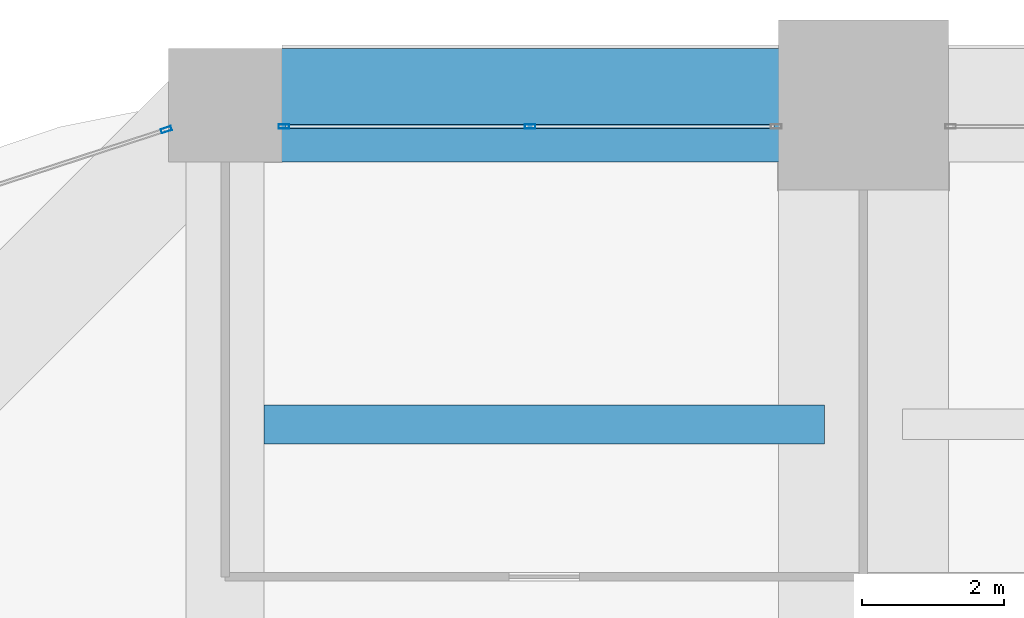
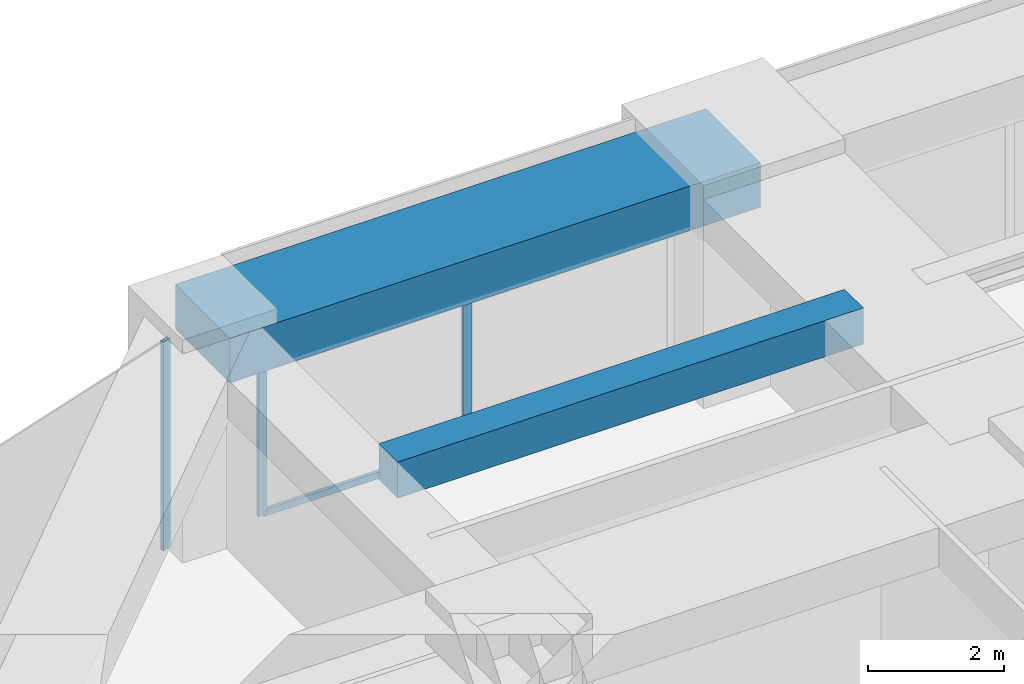
# One storey, part 27 of 43: 4 members, 2 beams, 2 elements without a shape of their own.
"""IFC4 building model written with IfcOpenShell, lengths in metres."""

from ifc_helpers import new_model, si_unit, direction, frame, origin, origin_2d, place, context, subcontext, project, spatial, rectangle, hollow_rectangle, extrude, material, material_profile, profile_set, type_object, element, aggregate, save


model = new_model("IFC4")

# Units and contexts
model_context = context("Model", 3, precision=1e-05, world=origin(), true_north=direction((0.0, 1.0)))
body_context = subcontext(model_context, "Body", "Model", "MODEL_VIEW")
ifc_project = project(units=[si_unit("LENGTHUNIT", "METRE"), si_unit("AREAUNIT", "SQUARE_METRE"), si_unit("VOLUMEUNIT", "CUBIC_METRE"), si_unit("PLANEANGLEUNIT", "RADIAN"), si_unit("MASSUNIT", "GRAM", prefix="KILO")], contexts=[model_context])

# Site, building, storey
site_placement = place(None, origin())
site = spatial("IfcSite", under=ifc_project, at=site_placement, CompositionType="ELEMENT")
building_placement = place(site_placement, origin())
building = spatial("IfcBuilding", under=site, at=building_placement, Name="Zorevar Civic Tower", CompositionType="ELEMENT")
storey_placement = place(building_placement, frame((0.0, 0.0, 145.0)))
storey = spatial("IfcBuildingStorey", under=building, at=storey_placement, Name="L35", CompositionType="ELEMENT", Elevation=145.0)

# Beam
ifc_material_1 = material(Name="Concrete C50/60", Category="concrete")
ifc_material_profile_1 = material_profile(ifc_material_1, rectangle(XDim=0.550048828125, YDim=0.64990234375, at=origin_2d()), Name="RC 550x650")
ifc_profile_set_1 = profile_set([ifc_material_profile_1], Name="Concrete C50/60")
beam_type_1 = type_object("IfcBeamType", Name="Beam RC 550x650", PredefinedType="BEAM", material=ifc_profile_set_1)
beam_1_placement = place(storey_placement, frame((9.550048828125, 40.5, 3.425048828125), z_axis=(1.0, 0.0, 0.0), x_axis=(0.0, 1.0, 0.0)))
element("IfcBeam", 1, at=beam_1_placement, inside=storey, type_object=beam_type_1, Name="Secondary beam L36", PredefinedType="BEAM", context=body_context, shape_type="SweptSolid", body=[
    extrude(rectangle(XDim=0.550048828125, YDim=0.64990234375, at=origin_2d()), origin(), (0.0, 0.0, 1.0), 7.89990234375),
])

# Curtain wall, members
ifc_material_2 = material(Name="Dark grey solar-control glass in black aluminium frame", Category="aluminium")
curtain_wall_type = type_object("IfcCurtainWallType", Name="Curtain wall CW3 mid zone", PredefinedType="NOTDEFINED", material=ifc_material_2)
curtain_wall_1_placement = place(storey_placement, origin())
curtain_wall_1 = element("IfcCurtainWall", 2, at=curtain_wall_1_placement, inside=storey, type_object=curtain_wall_type, Name="CW3 L35", PredefinedType="NOTDEFINED")
ifc_material_3 = material(Name="Aluminium, black anodised", Category="aluminium")
ifc_material_profile_2 = material_profile(ifc_material_3, hollow_rectangle(XDim=0.06005859375, YDim=0.14990234375, WallThickness=0.00390625, at=origin_2d()), Name="AL 150x60x4")
ifc_profile_set_2 = profile_set([ifc_material_profile_2], Name="Aluminium, black anodised")
member_type_1 = type_object("IfcMemberType", Name="CW3 mullion AL 150x60x4", PredefinedType="MULLION", material=ifc_profile_set_2)
member_1_placement = place(storey_placement, frame((9.830078125, 44.699951171875, 0.0), z_axis=(0.0, 0.0, 1.0), x_axis=(0.0, 1.0, 0.0)))
member_1 = element("IfcMember", 3, at=member_1_placement, type_object=member_type_1, Name="CW3 mullion 1", PredefinedType="MULLION", context=body_context, shape_type="SweptSolid", body=[
    extrude(hollow_rectangle(XDim=0.06005859375, YDim=0.14990234375, WallThickness=0.00390625, at=origin_2d()), origin(), (0.0, 0.0, 1.0), 2.949951171875),
])
member_2_placement = place(storey_placement, frame((13.300048828125, 44.699951171875, 0.06005859375), z_axis=(0.0, 0.0, 1.0), x_axis=(0.0, 1.0, 0.0)))
member_2 = element("IfcMember", 4, at=member_2_placement, type_object=member_type_1, Name="CW3 mullion 2", PredefinedType="MULLION", context=body_context, shape_type="SweptSolid", body=[
    extrude(hollow_rectangle(XDim=0.06005859375, YDim=0.14990234375, WallThickness=0.00390625, at=origin_2d()), origin(), (0.0, 0.0, 1.0), 2.889892578125),
])

# Curtain wall, member
curtain_wall_2_placement = place(storey_placement, origin())
curtain_wall_2 = element("IfcCurtainWall", 5, at=curtain_wall_2_placement, inside=storey, type_object=curtain_wall_type, Name="CW3 L35", PredefinedType="NOTDEFINED")
member_3_placement = place(storey_placement, frame((8.17138671875, 44.65380859375, 0.0), z_axis=(0.0, 0.0, 1.0), x_axis=(0.310263169163, -0.950650706548, 0.0)))
member_3 = element("IfcMember", 6, at=member_3_placement, type_object=member_type_1, Name="CW3 mullion 1", PredefinedType="MULLION", context=body_context, shape_type="SweptSolid", body=[
    extrude(hollow_rectangle(XDim=0.06005859375, YDim=0.14990234375, WallThickness=0.00390625, at=origin_2d()), origin(), (0.0, 0.0, 1.0), 3.75),
])
aggregate(curtain_wall_2, [member_3])

# Member
ifc_material_4 = material(Name="Aluminium, black anodised", Category="aluminium")
ifc_material_profile_3 = material_profile(ifc_material_4, hollow_rectangle(XDim=0.06005859375, YDim=0.1201171875, WallThickness=0.0029296875, at=origin_2d()), Name="AL 120x60x3")
ifc_profile_set_3 = profile_set([ifc_material_profile_3], Name="Aluminium, black anodised")
member_type_2 = type_object("IfcMemberType", Name="CW3 transom AL 120x60x3", PredefinedType="USERDEFINED", material=ifc_profile_set_3)
member_4_placement = place(storey_placement, frame((9.860107421875, 44.699951171875, 0.030029296875), z_axis=(1.0, 0.0, 0.0), x_axis=(0.0, 1.0, 0.0)))
member_4 = element("IfcMember", 7, at=member_4_placement, type_object=member_type_2, Name="CW3 sill transom", ObjectType="TRANSOM", PredefinedType="USERDEFINED", context=body_context, shape_type="SweptSolid", body=[
    extrude(hollow_rectangle(XDim=0.06005859375, YDim=0.1201171875, WallThickness=0.0029296875, at=origin_2d()), origin(), (0.0, 0.0, 1.0), 6.8798828125),
])

aggregate(curtain_wall_1, [member_1, member_2, member_4])

# Beam
ifc_material_5 = material(Name="Concrete C50/60", Category="concrete")
ifc_material_profile_4 = material_profile(ifc_material_5, rectangle(XDim=1.60009765625, YDim=0.800048828125, at=origin_2d()), Name="RC 1600x800")
ifc_profile_set_4 = profile_set([ifc_material_profile_4], Name="Concrete C50/60")
beam_type_2 = type_object("IfcBeamType", Name="Edge beam RC 1600x800", PredefinedType="SPANDREL", material=ifc_profile_set_4)
beam_2_placement = place(storey_placement, frame((9.0, 45.0, 3.35009765625), z_axis=(1.0, 0.0, 0.0), x_axis=(0.0, 1.0, 0.0)))
element("IfcBeam", 8, at=beam_2_placement, inside=storey, type_object=beam_type_2, Name="Edge beam L36", PredefinedType="SPANDREL", context=body_context, shape_type="SweptSolid", body=[
    extrude(rectangle(XDim=1.60009765625, YDim=0.800048828125, at=origin_2d()), origin(), (0.0, 0.0, 1.0), 9.0),
])

save(model, "model.ifc")
